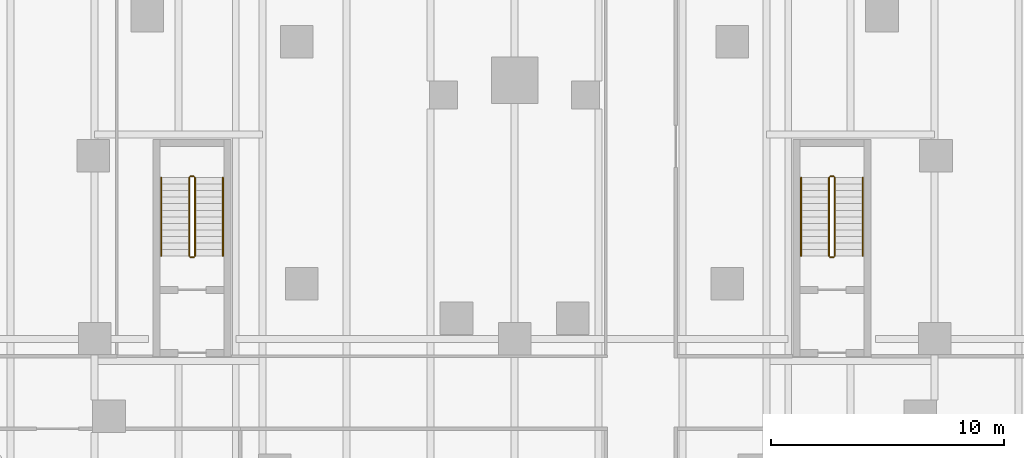
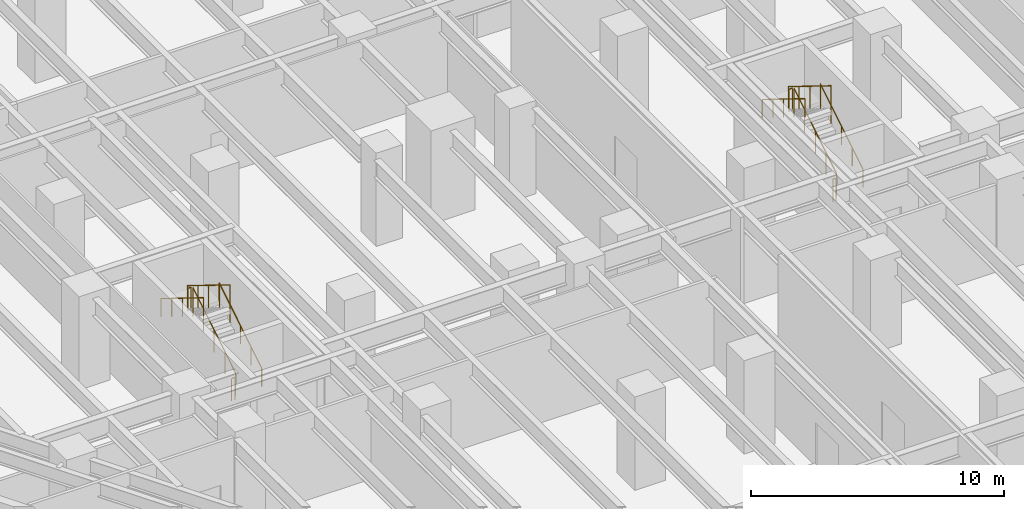
# One storey, part 19 of 20: 12 railings.
"""IFC4 building model written with IfcOpenShell, lengths in metres."""

from ifc_helpers import new_model, si_unit, direction, frame, origin, origin_2d, place, context, subcontext, project, spatial, circle, extrude, material, type_object, element, save


model = new_model("IFC4")

# Units and contexts
model_context = context("Model", 3, precision=1e-05, world=origin(), true_north=direction((0.0, 1.0)))
body_context = subcontext(model_context, "Body", "Model", "MODEL_VIEW")
ifc_project = project(units=[si_unit("LENGTHUNIT", "METRE"), si_unit("AREAUNIT", "SQUARE_METRE"), si_unit("VOLUMEUNIT", "CUBIC_METRE"), si_unit("PLANEANGLEUNIT", "RADIAN"), si_unit("MASSUNIT", "GRAM", prefix="KILO")], contexts=[model_context])

# Site, building, storey
site_placement = place(None, origin())
site = spatial("IfcSite", under=ifc_project, at=site_placement, CompositionType="ELEMENT")
building_placement = place(site_placement, origin())
building = spatial("IfcBuilding", under=site, at=building_placement, Name="Aloe Facet Convention Tower", CompositionType="ELEMENT")
storey_placement = place(building_placement, frame((0.0, 0.0, -4.5)))
storey = spatial("IfcBuildingStorey", under=building, at=storey_placement, Name="B1", CompositionType="ELEMENT", Elevation=-4.5)

# Railings
ifc_material_1 = material(Name="Steel S355 balustrade", Category="steel")
railing_type_1 = type_object("IfcRailingType", Name="CR-RL-GUARD", PredefinedType="GUARDRAIL", material=ifc_material_1)
railing_1_placement = place(storey_placement, frame((93.72509765625, 84.550048828125, 0.173095703125)))
element("IfcRailing", 1, at=railing_1_placement, inside=storey, type_object=railing_type_1, Name="B1 ST6 stair guard 1", PredefinedType="GUARDRAIL", context=body_context, shape_type="SweptSolid", body=[
    extrude(circle(Radius=0.02392578125, at=origin_2d()), frame((0.0, 0.0, 1.076171875), z_axis=(0.0, 0.850606129759, 0.525803396734), x_axis=(-1.0, 0.0, 0.0)), (0.0, 0.0, 1.0), 3.949951171875),
    extrude(circle(Radius=0.02099609375, at=origin_2d()), origin(), (0.0, 0.0, 1.0), 1.052001953125),
    extrude(circle(Radius=0.02099609375, at=origin_2d()), frame((0.0, 0.83984375, 0.519287109375)), (0.0, 0.0, 1.0), 1.052001953125),
    extrude(circle(Radius=0.02099609375, at=origin_2d()), frame((0.0, 1.679931640625, 1.03857421875)), (0.0, 0.0, 1.0), 1.052001953125),
    extrude(circle(Radius=0.02099609375, at=origin_2d()), frame((0.0, 2.52001953125, 1.5576171875)), (0.0, 0.0, 1.0), 1.052001953125),
    extrude(circle(Radius=0.02099609375, at=origin_2d()), frame((0.0, 3.35986328125, 2.076904296875)), (0.0, 0.0, 1.0), 1.052001953125),
])
railing_2_placement = place(storey_placement, frame((93.675048828125, 87.9599609375, 2.25)))
element("IfcRailing", 2, at=railing_2_placement, inside=storey, type_object=railing_type_1, Name="B1 ST6 stair guard 2", PredefinedType="GUARDRAIL", context=body_context, shape_type="SweptSolid", body=[
    extrude(circle(Radius=0.02392578125, at=origin_2d()), frame((0.0, 0.0, 1.076171875), z_axis=(-1.0, 0.0, 0.0), x_axis=(0.0, -1.0, 0.0)), (0.0, 0.0, 1.0), 0.150146484375),
    extrude(circle(Radius=0.02099609375, at=origin_2d()), origin(), (0.0, 0.0, 1.0), 1.052001953125),
    extrude(circle(Radius=0.02099609375, at=origin_2d()), frame((-0.150146484375, 0.0, 0.0)), (0.0, 0.0, 1.0), 1.052001953125),
])
railing_3_placement = place(storey_placement, frame((93.47509765625, 87.909912109375, 2.423095703125)))
element("IfcRailing", 3, at=railing_3_placement, inside=storey, type_object=railing_type_1, Name="B1 ST6 stair guard 3", PredefinedType="GUARDRAIL", context=body_context, shape_type="SweptSolid", body=[
    extrude(circle(Radius=0.02392578125, at=origin_2d()), frame((0.0, 0.0, 1.076171875), z_axis=(0.0, -0.850606129759, 0.525803396734), x_axis=(1.0, 0.0, 0.0)), (0.0, 0.0, 1.0), 3.949951171875),
    extrude(circle(Radius=0.02099609375, at=origin_2d()), origin(), (0.0, 0.0, 1.0), 1.052001953125),
    extrude(circle(Radius=0.02099609375, at=origin_2d()), frame((0.0, -0.83984375, 0.519287109375)), (0.0, 0.0, 1.0), 1.052001953125),
    extrude(circle(Radius=0.02099609375, at=origin_2d()), frame((0.0, -1.679931640625, 1.03857421875)), (0.0, 0.0, 1.0), 1.052001953125),
    extrude(circle(Radius=0.02099609375, at=origin_2d()), frame((0.0, -2.52001953125, 1.5576171875)), (0.0, 0.0, 1.0), 1.052001953125),
    extrude(circle(Radius=0.02099609375, at=origin_2d()), frame((0.0, -3.35986328125, 2.076904296875)), (0.0, 0.0, 1.0), 1.052001953125),
])
railing_4_placement = place(storey_placement, frame((93.675048828125, 84.5, 0.0)))
element("IfcRailing", 4, at=railing_4_placement, inside=storey, type_object=railing_type_1, Name="B1 ST6 stair guard 4", PredefinedType="GUARDRAIL", context=body_context, shape_type="SweptSolid", body=[
    extrude(circle(Radius=0.02392578125, at=origin_2d()), frame((0.0, 0.0, 1.076171875), z_axis=(-1.0, 0.0, 0.0), x_axis=(0.0, -1.0, 0.0)), (0.0, 0.0, 1.0), 0.150146484375),
    extrude(circle(Radius=0.02099609375, at=origin_2d()), origin(), (0.0, 0.0, 1.0), 1.052001953125),
    extrude(circle(Radius=0.02099609375, at=origin_2d()), frame((-0.150146484375, 0.0, 0.0)), (0.0, 0.0, 1.0), 1.052001953125),
])
railing_5_placement = place(storey_placement, frame((66.300048828125, 84.550048828125, 0.173095703125)))
element("IfcRailing", 5, at=railing_5_placement, inside=storey, type_object=railing_type_1, Name="B1 ST7 stair guard 1", PredefinedType="GUARDRAIL", context=body_context, shape_type="SweptSolid", body=[
    extrude(circle(Radius=0.02392578125, at=origin_2d()), frame((0.0, 0.0, 1.076171875), z_axis=(0.0, 0.850606129759, 0.525803396734), x_axis=(-1.0, 0.0, 0.0)), (0.0, 0.0, 1.0), 3.949951171875),
    extrude(circle(Radius=0.02099609375, at=origin_2d()), origin(), (0.0, 0.0, 1.0), 1.052001953125),
    extrude(circle(Radius=0.02099609375, at=origin_2d()), frame((0.0, 0.83984375, 0.519287109375)), (0.0, 0.0, 1.0), 1.052001953125),
    extrude(circle(Radius=0.02099609375, at=origin_2d()), frame((0.0, 1.679931640625, 1.03857421875)), (0.0, 0.0, 1.0), 1.052001953125),
    extrude(circle(Radius=0.02099609375, at=origin_2d()), frame((0.0, 2.52001953125, 1.5576171875)), (0.0, 0.0, 1.0), 1.052001953125),
    extrude(circle(Radius=0.02099609375, at=origin_2d()), frame((0.0, 3.35986328125, 2.076904296875)), (0.0, 0.0, 1.0), 1.052001953125),
])
railing_6_placement = place(storey_placement, frame((66.25, 87.9599609375, 2.25)))
element("IfcRailing", 6, at=railing_6_placement, inside=storey, type_object=railing_type_1, Name="B1 ST7 stair guard 2", PredefinedType="GUARDRAIL", context=body_context, shape_type="SweptSolid", body=[
    extrude(circle(Radius=0.02392578125, at=origin_2d()), frame((0.0, 0.0, 1.076171875), z_axis=(-1.0, 0.0, 0.0), x_axis=(0.0, -1.0, 0.0)), (0.0, 0.0, 1.0), 0.14990234375),
    extrude(circle(Radius=0.02099609375, at=origin_2d()), origin(), (0.0, 0.0, 1.0), 1.052001953125),
    extrude(circle(Radius=0.02099609375, at=origin_2d()), frame((-0.14990234375, 0.0, 0.0)), (0.0, 0.0, 1.0), 1.052001953125),
])
railing_7_placement = place(storey_placement, frame((66.050048828125, 87.909912109375, 2.423095703125)))
element("IfcRailing", 7, at=railing_7_placement, inside=storey, type_object=railing_type_1, Name="B1 ST7 stair guard 3", PredefinedType="GUARDRAIL", context=body_context, shape_type="SweptSolid", body=[
    extrude(circle(Radius=0.02392578125, at=origin_2d()), frame((0.0, 0.0, 1.076171875), z_axis=(0.0, -0.850606129759, 0.525803396734), x_axis=(1.0, 0.0, 0.0)), (0.0, 0.0, 1.0), 3.949951171875),
    extrude(circle(Radius=0.02099609375, at=origin_2d()), origin(), (0.0, 0.0, 1.0), 1.052001953125),
    extrude(circle(Radius=0.02099609375, at=origin_2d()), frame((0.0, -0.83984375, 0.519287109375)), (0.0, 0.0, 1.0), 1.052001953125),
    extrude(circle(Radius=0.02099609375, at=origin_2d()), frame((0.0, -1.679931640625, 1.03857421875)), (0.0, 0.0, 1.0), 1.052001953125),
    extrude(circle(Radius=0.02099609375, at=origin_2d()), frame((0.0, -2.52001953125, 1.5576171875)), (0.0, 0.0, 1.0), 1.052001953125),
    extrude(circle(Radius=0.02099609375, at=origin_2d()), frame((0.0, -3.35986328125, 2.076904296875)), (0.0, 0.0, 1.0), 1.052001953125),
])
railing_8_placement = place(storey_placement, frame((66.25, 84.5, 0.0)))
element("IfcRailing", 8, at=railing_8_placement, inside=storey, type_object=railing_type_1, Name="B1 ST7 stair guard 4", PredefinedType="GUARDRAIL", context=body_context, shape_type="SweptSolid", body=[
    extrude(circle(Radius=0.02392578125, at=origin_2d()), frame((0.0, 0.0, 1.076171875), z_axis=(-1.0, 0.0, 0.0), x_axis=(0.0, -1.0, 0.0)), (0.0, 0.0, 1.0), 0.14990234375),
    extrude(circle(Radius=0.02099609375, at=origin_2d()), origin(), (0.0, 0.0, 1.0), 1.052001953125),
    extrude(circle(Radius=0.02099609375, at=origin_2d()), frame((-0.14990234375, 0.0, 0.0)), (0.0, 0.0, 1.0), 1.052001953125),
])
ifc_material_2 = material(Name="Steel S355 handrail", Category="steel")
railing_type_2 = type_object("IfcRailingType", Name="CR-RL-HAND", PredefinedType="HANDRAIL", material=ifc_material_2)
railing_9_placement = place(storey_placement, frame((94.925048828125, 84.550048828125, 0.173095703125)))
element("IfcRailing", 9, at=railing_9_placement, inside=storey, type_object=railing_type_2, Name="B1 ST6 stair handrail 1", PredefinedType="HANDRAIL", context=body_context, shape_type="SweptSolid", body=[
    extrude(circle(Radius=0.02392578125, at=origin_2d()), frame((0.0, 0.0, 0.8759765625), z_axis=(0.0, 0.850606129759, 0.525803396734), x_axis=(-1.0, 0.0, 0.0)), (0.0, 0.0, 1.0), 3.949951171875),
    extrude(circle(Radius=0.02099609375, at=origin_2d()), origin(), (0.0, 0.0, 1.0), 0.851806640625),
    extrude(circle(Radius=0.02099609375, at=origin_2d()), frame((0.0, 0.83984375, 0.519287109375)), (0.0, 0.0, 1.0), 0.851806640625),
    extrude(circle(Radius=0.02099609375, at=origin_2d()), frame((0.0, 1.679931640625, 1.03857421875)), (0.0, 0.0, 1.0), 0.851806640625),
    extrude(circle(Radius=0.02099609375, at=origin_2d()), frame((0.0, 2.52001953125, 1.5576171875)), (0.0, 0.0, 1.0), 0.851806640625),
    extrude(circle(Radius=0.02099609375, at=origin_2d()), frame((0.0, 3.35986328125, 2.076904296875)), (0.0, 0.0, 1.0), 0.851806640625),
])
railing_10_placement = place(storey_placement, frame((92.27490234375, 87.909912109375, 2.423095703125)))
element("IfcRailing", 10, at=railing_10_placement, inside=storey, type_object=railing_type_2, Name="B1 ST6 stair handrail 2", PredefinedType="HANDRAIL", context=body_context, shape_type="SweptSolid", body=[
    extrude(circle(Radius=0.02392578125, at=origin_2d()), frame((0.0, 0.0, 0.8759765625), z_axis=(0.0, -0.850606129759, 0.525803396734), x_axis=(1.0, 0.0, 0.0)), (0.0, 0.0, 1.0), 3.949951171875),
    extrude(circle(Radius=0.02099609375, at=origin_2d()), origin(), (0.0, 0.0, 1.0), 0.851806640625),
    extrude(circle(Radius=0.02099609375, at=origin_2d()), frame((0.0, -0.83984375, 0.519287109375)), (0.0, 0.0, 1.0), 0.851806640625),
    extrude(circle(Radius=0.02099609375, at=origin_2d()), frame((0.0, -1.679931640625, 1.03857421875)), (0.0, 0.0, 1.0), 0.851806640625),
    extrude(circle(Radius=0.02099609375, at=origin_2d()), frame((0.0, -2.52001953125, 1.5576171875)), (0.0, 0.0, 1.0), 0.851806640625),
    extrude(circle(Radius=0.02099609375, at=origin_2d()), frame((0.0, -3.35986328125, 2.076904296875)), (0.0, 0.0, 1.0), 0.851806640625),
])
railing_11_placement = place(storey_placement, frame((67.5, 84.550048828125, 0.173095703125)))
element("IfcRailing", 11, at=railing_11_placement, inside=storey, type_object=railing_type_2, Name="B1 ST7 stair handrail 1", PredefinedType="HANDRAIL", context=body_context, shape_type="SweptSolid", body=[
    extrude(circle(Radius=0.02392578125, at=origin_2d()), frame((0.0, 0.0, 0.8759765625), z_axis=(0.0, 0.850606129759, 0.525803396734), x_axis=(-1.0, 0.0, 0.0)), (0.0, 0.0, 1.0), 3.949951171875),
    extrude(circle(Radius=0.02099609375, at=origin_2d()), origin(), (0.0, 0.0, 1.0), 0.851806640625),
    extrude(circle(Radius=0.02099609375, at=origin_2d()), frame((0.0, 0.83984375, 0.519287109375)), (0.0, 0.0, 1.0), 0.851806640625),
    extrude(circle(Radius=0.02099609375, at=origin_2d()), frame((0.0, 1.679931640625, 1.03857421875)), (0.0, 0.0, 1.0), 0.851806640625),
    extrude(circle(Radius=0.02099609375, at=origin_2d()), frame((0.0, 2.52001953125, 1.5576171875)), (0.0, 0.0, 1.0), 0.851806640625),
    extrude(circle(Radius=0.02099609375, at=origin_2d()), frame((0.0, 3.35986328125, 2.076904296875)), (0.0, 0.0, 1.0), 0.851806640625),
])
railing_12_placement = place(storey_placement, frame((64.85009765625, 87.909912109375, 2.423095703125)))
element("IfcRailing", 12, at=railing_12_placement, inside=storey, type_object=railing_type_2, Name="B1 ST7 stair handrail 2", PredefinedType="HANDRAIL", context=body_context, shape_type="SweptSolid", body=[
    extrude(circle(Radius=0.02392578125, at=origin_2d()), frame((0.0, 0.0, 0.8759765625), z_axis=(0.0, -0.850606129759, 0.525803396734), x_axis=(1.0, 0.0, 0.0)), (0.0, 0.0, 1.0), 3.949951171875),
    extrude(circle(Radius=0.02099609375, at=origin_2d()), origin(), (0.0, 0.0, 1.0), 0.851806640625),
    extrude(circle(Radius=0.02099609375, at=origin_2d()), frame((0.0, -0.83984375, 0.519287109375)), (0.0, 0.0, 1.0), 0.851806640625),
    extrude(circle(Radius=0.02099609375, at=origin_2d()), frame((0.0, -1.679931640625, 1.03857421875)), (0.0, 0.0, 1.0), 0.851806640625),
    extrude(circle(Radius=0.02099609375, at=origin_2d()), frame((0.0, -2.52001953125, 1.5576171875)), (0.0, 0.0, 1.0), 0.851806640625),
    extrude(circle(Radius=0.02099609375, at=origin_2d()), frame((0.0, -3.35986328125, 2.076904296875)), (0.0, 0.0, 1.0), 0.851806640625),
])

save(model, "model.ifc")
